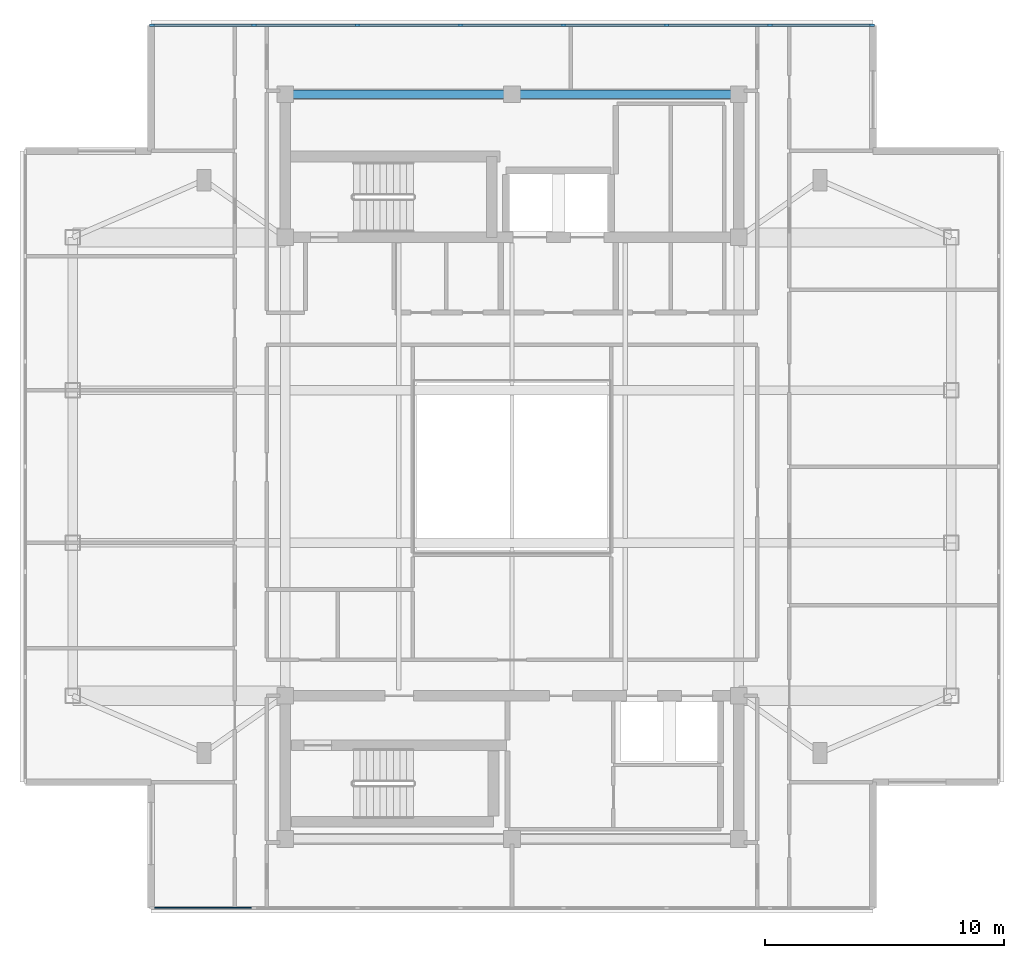
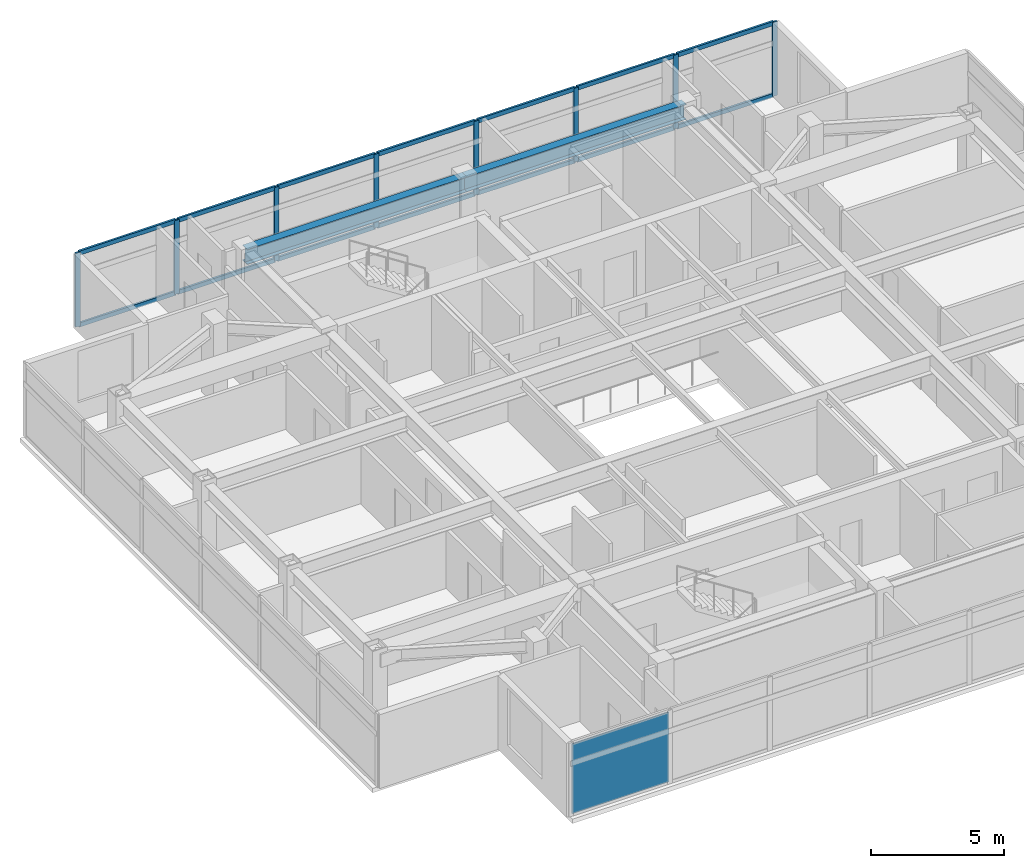
# One storey, part 4 of 12: 22 members, 2 beams, 1 plate, 2 elements without a shape of their own.
"""IFC4 building model written with IfcOpenShell, lengths in metres."""

from ifc_helpers import new_model, si_unit, direction, frame, origin, origin_2d, place, context, subcontext, project, spatial, rectangle, i_section, extrude, material, layer, layer_set, material_profile, profile_set, type_object, element, aggregate, save


model = new_model("IFC4")

# Units and contexts
model_context = context("Model", 3, precision=1e-05, world=origin(), true_north=direction((0.0, 1.0)))
body_context = subcontext(model_context, "Body", "Model", "MODEL_VIEW")
ifc_project = project(units=[si_unit("LENGTHUNIT", "METRE"), si_unit("AREAUNIT", "SQUARE_METRE"), si_unit("VOLUMEUNIT", "CUBIC_METRE"), si_unit("PLANEANGLEUNIT", "RADIAN"), si_unit("MASSUNIT", "GRAM", prefix="KILO")], contexts=[model_context])

# Site, building, storey
site_placement = place(None, origin())
site = spatial("IfcSite", under=ifc_project, at=site_placement, CompositionType="ELEMENT")
building_placement = place(site_placement, origin())
building = spatial("IfcBuilding", under=site, at=building_placement, Name="Mirazonda Arch Towers", CompositionType="ELEMENT")
storey_placement = place(building_placement, frame((0.0, 0.0, 256.300048828125)))
storey = spatial("IfcBuildingStorey", under=building, at=storey_placement, Name="L73", CompositionType="ELEMENT", Elevation=256.300048828125)

# Beams
ifc_material_1 = material(Name="Steel ASTM A992 Grade 50", Category="steel")
ifc_material_profile_1 = material_profile(ifc_material_1, i_section(OverallWidth=0.35498046875, OverallDepth=0.696044921875, WebThickness=0.015380859375, FlangeThickness=0.02490234375, at=origin_2d()), Name="W27X146")
ifc_profile_set_1 = profile_set([ifc_material_profile_1], Name="Steel ASTM A992 Grade 50")
beam_type = type_object("IfcBeamType", Name="BM-INT-W27X146", PredefinedType="BEAM", material=ifc_profile_set_1)
for number, where, z_axis, x_axis, name in (
    (1, (11.0, 43.60009765625, 3.052001953125), (1.0, 0.0, 0.0), (0.0, 1.0, 0.0), "L73 Floor Beam BM-T1-L73-CN1"),
    (2, (20.5, 43.60009765625, 3.052001953125), (1.0, 0.0, 0.0), (0.0, 1.0, 0.0), "L73 Floor Beam BM-T1-L73-CN2"),
):
    element("IfcBeam", number, at=place(storey_placement, frame(where, z_axis=z_axis, x_axis=x_axis)), inside=storey, type_object=beam_type, Name=name, PredefinedType="BEAM", context=body_context, shape_type="SweptSolid", body=[
        extrude(i_section(OverallWidth=0.35498046875, OverallDepth=0.696044921875, WebThickness=0.015380859375, FlangeThickness=0.02490234375, at=origin_2d()), origin(), (0.0, 0.0, 1.0), 9.5),
    ])

# Curtain wall, members
ifc_material_2 = material(Name="Anodised Aluminium and Low-E Glass", Category="aluminium")
curtain_wall_type = type_object("IfcCurtainWallType", Name="CW-OBS-LANTERN", PredefinedType="NOTDEFINED", material=ifc_material_2)
curtain_wall_1_placement = place(storey_placement, origin())
curtain_wall_1 = element("IfcCurtainWall", 3, at=curtain_wall_1_placement, inside=storey, type_object=curtain_wall_type, Name="L73 T1 N Facade CW-L73-T1-N", PredefinedType="NOTDEFINED")
ifc_material_3 = material(Name="Anodised Aluminium Alloy", Category="aluminium")
ifc_material_profile_2 = material_profile(ifc_material_3, rectangle(XDim=0.090087890625, YDim=0.2099609375, at=origin_2d()), Name="ALU-MULL-90x210")
ifc_profile_set_2 = profile_set([ifc_material_profile_2], Name="Anodised Aluminium Alloy")
member_type_1 = type_object("IfcMemberType", Name="MULL-CW-OBS-LANTERN", PredefinedType="MULLION", material=ifc_profile_set_2)
member_1_placement = place(storey_placement, frame((5.419921875, 46.486083984375, 0.0), z_axis=(0.0, 0.0, 1.0), x_axis=(0.0, 1.0, 0.0)))
member_1 = element("IfcMember", 4, at=member_1_placement, type_object=member_type_1, Name="CW-110 mullion 1", PredefinedType="MULLION", context=body_context, shape_type="SweptSolid", body=[
    extrude(rectangle(XDim=0.090087890625, YDim=0.2099609375, at=origin_2d()), origin(), (0.0, 0.0, 1.0), 3.3798828125),
])
member_2_placement = place(storey_placement, frame((9.696533203125, 46.486083984375, 0.0), z_axis=(0.0, 0.0, 1.0), x_axis=(0.0, 1.0, 0.0)))
member_2 = element("IfcMember", 5, at=member_2_placement, type_object=member_type_1, Name="CW-110 mullion 2", PredefinedType="MULLION", context=body_context, shape_type="SweptSolid", body=[
    extrude(rectangle(XDim=0.090087890625, YDim=0.2099609375, at=origin_2d()), origin(), (0.0, 0.0, 1.0), 3.3798828125),
])
member_3_placement = place(storey_placement, frame((14.017822265625, 46.486083984375, 0.0), z_axis=(0.0, 0.0, 1.0), x_axis=(0.0, 1.0, 0.0)))
member_3 = element("IfcMember", 6, at=member_3_placement, type_object=member_type_1, Name="CW-110 mullion 3", PredefinedType="MULLION", context=body_context, shape_type="SweptSolid", body=[
    extrude(rectangle(XDim=0.090087890625, YDim=0.2099609375, at=origin_2d()), origin(), (0.0, 0.0, 1.0), 3.3798828125),
])
member_4_placement = place(storey_placement, frame((18.33935546875, 46.486083984375, 0.0), z_axis=(0.0, 0.0, 1.0), x_axis=(0.0, 1.0, 0.0)))
member_4 = element("IfcMember", 7, at=member_4_placement, type_object=member_type_1, Name="CW-110 mullion 4", PredefinedType="MULLION", context=body_context, shape_type="SweptSolid", body=[
    extrude(rectangle(XDim=0.090087890625, YDim=0.2099609375, at=origin_2d()), origin(), (0.0, 0.0, 1.0), 3.3798828125),
])
member_5_placement = place(storey_placement, frame((22.66064453125, 46.486083984375, 0.0), z_axis=(0.0, 0.0, 1.0), x_axis=(0.0, 1.0, 0.0)))
member_5 = element("IfcMember", 8, at=member_5_placement, type_object=member_type_1, Name="CW-110 mullion 5", PredefinedType="MULLION", context=body_context, shape_type="SweptSolid", body=[
    extrude(rectangle(XDim=0.090087890625, YDim=0.2099609375, at=origin_2d()), origin(), (0.0, 0.0, 1.0), 3.3798828125),
])
member_6_placement = place(storey_placement, frame((26.982177734375, 46.486083984375, 0.0), z_axis=(0.0, 0.0, 1.0), x_axis=(0.0, 1.0, 0.0)))
member_6 = element("IfcMember", 9, at=member_6_placement, type_object=member_type_1, Name="CW-110 mullion 6", PredefinedType="MULLION", context=body_context, shape_type="SweptSolid", body=[
    extrude(rectangle(XDim=0.090087890625, YDim=0.2099609375, at=origin_2d()), origin(), (0.0, 0.0, 1.0), 3.3798828125),
])
member_7_placement = place(storey_placement, frame((31.303466796875, 46.486083984375, 0.0), z_axis=(0.0, 0.0, 1.0), x_axis=(0.0, 1.0, 0.0)))
member_7 = element("IfcMember", 10, at=member_7_placement, type_object=member_type_1, Name="CW-110 mullion 7", PredefinedType="MULLION", context=body_context, shape_type="SweptSolid", body=[
    extrude(rectangle(XDim=0.090087890625, YDim=0.2099609375, at=origin_2d()), origin(), (0.0, 0.0, 1.0), 3.3798828125),
])
member_8_placement = place(storey_placement, frame((35.580078125, 46.486083984375, 0.0), z_axis=(0.0, 0.0, 1.0), x_axis=(0.0, 1.0, 0.0)))
member_8 = element("IfcMember", 11, at=member_8_placement, type_object=member_type_1, Name="CW-110 mullion 8", PredefinedType="MULLION", context=body_context, shape_type="SweptSolid", body=[
    extrude(rectangle(XDim=0.090087890625, YDim=0.2099609375, at=origin_2d()), origin(), (0.0, 0.0, 1.0), 3.3798828125),
])
ifc_material_profile_3 = material_profile(ifc_material_3, rectangle(XDim=0.090087890625, YDim=0.18994140625, at=origin_2d()), Name="ALU-TRAN-90x190")
ifc_profile_set_3 = profile_set([ifc_material_profile_3], Name="Anodised Aluminium Alloy")
member_type_2 = type_object("IfcMemberType", Name="TRAN-CW-OBS-LANTERN", PredefinedType="USERDEFINED", material=ifc_profile_set_3)
member_9_placement = place(storey_placement, frame((5.465087890625, 46.486083984375, 0.044921875), z_axis=(1.0, 0.0, 0.0), x_axis=(0.0, 1.0, 0.0)))
member_9 = element("IfcMember", 12, at=member_9_placement, type_object=member_type_2, Name="CW-110 transom 1.1", ObjectType="TRANSOM", PredefinedType="USERDEFINED", context=body_context, shape_type="SweptSolid", body=[
    extrude(rectangle(XDim=0.090087890625, YDim=0.18994140625, at=origin_2d()), origin(), (0.0, 0.0, 1.0), 4.186279296875),
])
member_10_placement = place(storey_placement, frame((5.465087890625, 46.486083984375, 3.3349609375), z_axis=(1.0, 0.0, 0.0), x_axis=(0.0, 1.0, 0.0)))
member_10 = element("IfcMember", 13, at=member_10_placement, type_object=member_type_2, Name="CW-110 transom 1.2", ObjectType="TRANSOM", PredefinedType="USERDEFINED", context=body_context, shape_type="SweptSolid", body=[
    extrude(rectangle(XDim=0.090087890625, YDim=0.18994140625, at=origin_2d()), origin(), (0.0, 0.0, 1.0), 4.186279296875),
])
member_11_placement = place(storey_placement, frame((9.741455078125, 46.486083984375, 0.044921875), z_axis=(1.0, 0.0, 0.0), x_axis=(0.0, 1.0, 0.0)))
member_11 = element("IfcMember", 14, at=member_11_placement, type_object=member_type_2, Name="CW-110 transom 2.1", ObjectType="TRANSOM", PredefinedType="USERDEFINED", context=body_context, shape_type="SweptSolid", body=[
    extrude(rectangle(XDim=0.090087890625, YDim=0.18994140625, at=origin_2d()), origin(), (0.0, 0.0, 1.0), 4.2314453125),
])
member_12_placement = place(storey_placement, frame((9.741455078125, 46.486083984375, 3.3349609375), z_axis=(1.0, 0.0, 0.0), x_axis=(0.0, 1.0, 0.0)))
member_12 = element("IfcMember", 15, at=member_12_placement, type_object=member_type_2, Name="CW-110 transom 2.2", ObjectType="TRANSOM", PredefinedType="USERDEFINED", context=body_context, shape_type="SweptSolid", body=[
    extrude(rectangle(XDim=0.090087890625, YDim=0.18994140625, at=origin_2d()), origin(), (0.0, 0.0, 1.0), 4.2314453125),
])
member_13_placement = place(storey_placement, frame((14.062744140625, 46.486083984375, 0.044921875), z_axis=(1.0, 0.0, 0.0), x_axis=(0.0, 1.0, 0.0)))
member_13 = element("IfcMember", 16, at=member_13_placement, type_object=member_type_2, Name="CW-110 transom 3.1", ObjectType="TRANSOM", PredefinedType="USERDEFINED", context=body_context, shape_type="SweptSolid", body=[
    extrude(rectangle(XDim=0.090087890625, YDim=0.18994140625, at=origin_2d()), origin(), (0.0, 0.0, 1.0), 4.2314453125),
])
member_14_placement = place(storey_placement, frame((14.062744140625, 46.486083984375, 3.3349609375), z_axis=(1.0, 0.0, 0.0), x_axis=(0.0, 1.0, 0.0)))
member_14 = element("IfcMember", 17, at=member_14_placement, type_object=member_type_2, Name="CW-110 transom 3.2", ObjectType="TRANSOM", PredefinedType="USERDEFINED", context=body_context, shape_type="SweptSolid", body=[
    extrude(rectangle(XDim=0.090087890625, YDim=0.18994140625, at=origin_2d()), origin(), (0.0, 0.0, 1.0), 4.2314453125),
])
member_15_placement = place(storey_placement, frame((18.38427734375, 46.486083984375, 0.044921875), z_axis=(1.0, 0.0, 0.0), x_axis=(0.0, 1.0, 0.0)))
member_15 = element("IfcMember", 18, at=member_15_placement, type_object=member_type_2, Name="CW-110 transom 4.1", ObjectType="TRANSOM", PredefinedType="USERDEFINED", context=body_context, shape_type="SweptSolid", body=[
    extrude(rectangle(XDim=0.090087890625, YDim=0.18994140625, at=origin_2d()), origin(), (0.0, 0.0, 1.0), 4.2314453125),
])
member_16_placement = place(storey_placement, frame((18.38427734375, 46.486083984375, 3.3349609375), z_axis=(1.0, 0.0, 0.0), x_axis=(0.0, 1.0, 0.0)))
member_16 = element("IfcMember", 19, at=member_16_placement, type_object=member_type_2, Name="CW-110 transom 4.2", ObjectType="TRANSOM", PredefinedType="USERDEFINED", context=body_context, shape_type="SweptSolid", body=[
    extrude(rectangle(XDim=0.090087890625, YDim=0.18994140625, at=origin_2d()), origin(), (0.0, 0.0, 1.0), 4.2314453125),
])
member_17_placement = place(storey_placement, frame((22.705810546875, 46.486083984375, 0.044921875), z_axis=(1.0, 0.0, 0.0), x_axis=(0.0, 1.0, 0.0)))
member_17 = element("IfcMember", 20, at=member_17_placement, type_object=member_type_2, Name="CW-110 transom 5.1", ObjectType="TRANSOM", PredefinedType="USERDEFINED", context=body_context, shape_type="SweptSolid", body=[
    extrude(rectangle(XDim=0.090087890625, YDim=0.18994140625, at=origin_2d()), origin(), (0.0, 0.0, 1.0), 4.2314453125),
])
member_18_placement = place(storey_placement, frame((22.705810546875, 46.486083984375, 3.3349609375), z_axis=(1.0, 0.0, 0.0), x_axis=(0.0, 1.0, 0.0)))
member_18 = element("IfcMember", 21, at=member_18_placement, type_object=member_type_2, Name="CW-110 transom 5.2", ObjectType="TRANSOM", PredefinedType="USERDEFINED", context=body_context, shape_type="SweptSolid", body=[
    extrude(rectangle(XDim=0.090087890625, YDim=0.18994140625, at=origin_2d()), origin(), (0.0, 0.0, 1.0), 4.2314453125),
])
member_19_placement = place(storey_placement, frame((27.027099609375, 46.486083984375, 0.044921875), z_axis=(1.0, 0.0, 0.0), x_axis=(0.0, 1.0, 0.0)))
member_19 = element("IfcMember", 22, at=member_19_placement, type_object=member_type_2, Name="CW-110 transom 6.1", ObjectType="TRANSOM", PredefinedType="USERDEFINED", context=body_context, shape_type="SweptSolid", body=[
    extrude(rectangle(XDim=0.090087890625, YDim=0.18994140625, at=origin_2d()), origin(), (0.0, 0.0, 1.0), 4.2314453125),
])
member_20_placement = place(storey_placement, frame((27.027099609375, 46.486083984375, 3.3349609375), z_axis=(1.0, 0.0, 0.0), x_axis=(0.0, 1.0, 0.0)))
member_20 = element("IfcMember", 23, at=member_20_placement, type_object=member_type_2, Name="CW-110 transom 6.2", ObjectType="TRANSOM", PredefinedType="USERDEFINED", context=body_context, shape_type="SweptSolid", body=[
    extrude(rectangle(XDim=0.090087890625, YDim=0.18994140625, at=origin_2d()), origin(), (0.0, 0.0, 1.0), 4.2314453125),
])
member_21_placement = place(storey_placement, frame((31.3486328125, 46.486083984375, 0.044921875), z_axis=(1.0, 0.0, 0.0), x_axis=(0.0, 1.0, 0.0)))
member_21 = element("IfcMember", 24, at=member_21_placement, type_object=member_type_2, Name="CW-110 transom 7.1", ObjectType="TRANSOM", PredefinedType="USERDEFINED", context=body_context, shape_type="SweptSolid", body=[
    extrude(rectangle(XDim=0.090087890625, YDim=0.18994140625, at=origin_2d()), origin(), (0.0, 0.0, 1.0), 4.186279296875),
])
member_22_placement = place(storey_placement, frame((31.3486328125, 46.486083984375, 3.3349609375), z_axis=(1.0, 0.0, 0.0), x_axis=(0.0, 1.0, 0.0)))
member_22 = element("IfcMember", 25, at=member_22_placement, type_object=member_type_2, Name="CW-110 transom 7.2", ObjectType="TRANSOM", PredefinedType="USERDEFINED", context=body_context, shape_type="SweptSolid", body=[
    extrude(rectangle(XDim=0.090087890625, YDim=0.18994140625, at=origin_2d()), origin(), (0.0, 0.0, 1.0), 4.186279296875),
])
aggregate(curtain_wall_1, [member_1, member_2, member_3, member_4, member_5, member_6, member_7, member_8, member_9, member_10, member_11, member_12, member_13, member_14, member_15, member_16, member_17, member_18, member_19, member_20, member_21, member_22])

# Curtain wall, plate
curtain_wall_2_placement = place(storey_placement, origin())
curtain_wall_2 = element("IfcCurtainWall", 26, at=curtain_wall_2_placement, inside=storey, type_object=curtain_wall_type, Name="L73 T1 S Facade CW-L73-T1-S", PredefinedType="NOTDEFINED")
ifc_material_4 = material(Name="Insulated Low-E Solar Glass", Category="glass")
ifc_layer = layer(ifc_material_4, 0.048095703125, Name="PAN-CW-OBS-LANTERN")
ifc_layer_set = layer_set([ifc_layer], Name="Insulated Low-E Solar Glass")
plate_type = type_object("IfcPlateType", Name="PAN-CW-OBS-LANTERN", PredefinedType="CURTAIN_PANEL", material=ifc_layer_set)
plate_placement = place(storey_placement, frame((7.55810546875, 9.513916015625, 0.08984375), z_axis=(0.0, 0.0, 1.0), x_axis=(-1.0, 0.0, 0.0)))
plate = element("IfcPlate", 27, at=plate_placement, type_object=plate_type, Name="CW-110 panel 7.1", PredefinedType="CURTAIN_PANEL", context=body_context, shape_type="SweptSolid", body=[
    extrude(rectangle(XDim=4.1865234375, YDim=0.048095703125, at=origin_2d()), origin(), (0.0, 0.0, 1.0), 3.199951171875),
])
aggregate(curtain_wall_2, [plate])

save(model, "model.ifc")
